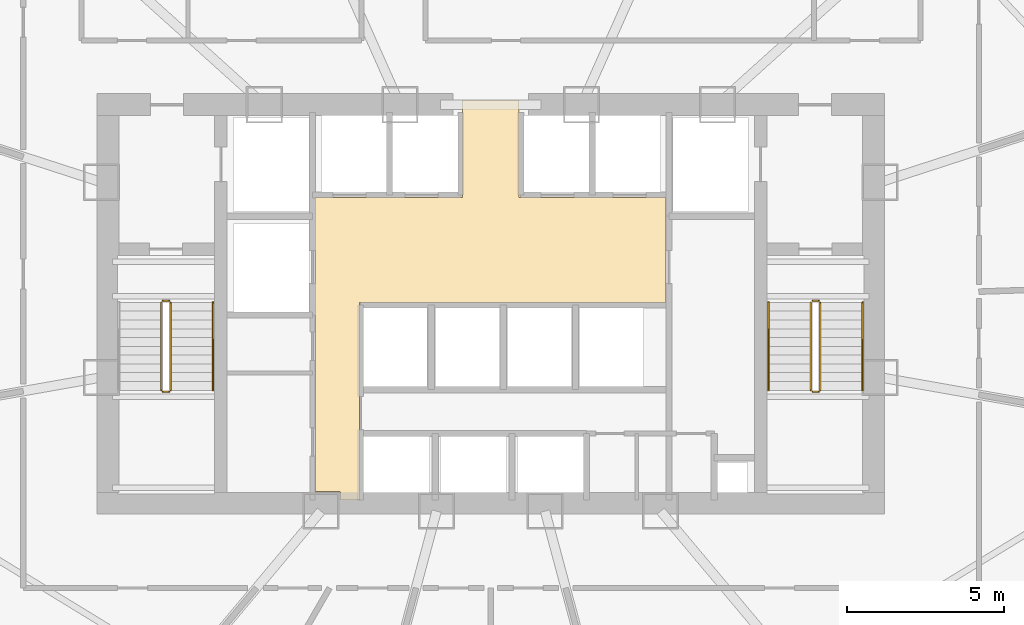
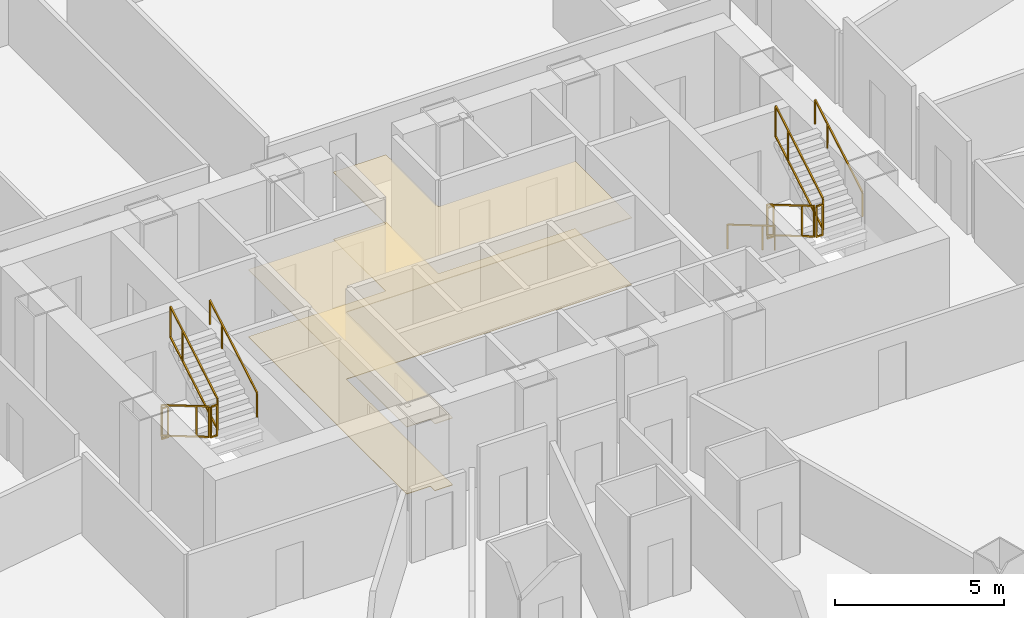
# One storey, part 38 of 40: 11 railings, 2 coverings.
"""IFC4 building model written with IfcOpenShell, lengths in metres."""

from ifc_helpers import new_model, si_unit, direction, frame, origin, origin_2d, place, context, subcontext, project, spatial, polyline, rectangle, outline, extrude, material, layer, layer_set, type_object, element, save


model = new_model("IFC4")

# Units and contexts
model_context = context("Model", 3, precision=1e-05, world=origin(), true_north=direction((0.0, 1.0)))
body_context = subcontext(model_context, "Body", "Model", "MODEL_VIEW")
ifc_project = project(units=[si_unit("LENGTHUNIT", "METRE"), si_unit("AREAUNIT", "SQUARE_METRE"), si_unit("VOLUMEUNIT", "CUBIC_METRE"), si_unit("PLANEANGLEUNIT", "RADIAN"), si_unit("MASSUNIT", "GRAM", prefix="KILO"), si_unit("THERMODYNAMICTEMPERATUREUNIT", "KELVIN"), si_unit("POWERUNIT", "WATT")], contexts=[model_context])

# Site, building, storey
site_placement = place(None, origin())
site = spatial("IfcSite", under=ifc_project, at=site_placement, CompositionType="ELEMENT")
building_placement = place(site_placement, origin())
building = spatial("IfcBuilding", under=site, at=building_placement, Name="Yunzhuo Pagoda Commons", CompositionType="ELEMENT")
storey_placement = place(building_placement, frame((0.0, 0.0, 66.699951171875)))
storey = spatial("IfcBuildingStorey", under=building, at=storey_placement, Name="L17", CompositionType="ELEMENT", Elevation=66.699951171875)

# Coverings
ifc_material_1 = material(Name="Mineral fibre acoustic ceiling board")
ifc_layer_1 = layer(ifc_material_1, 0.02490234375)
ifc_layer_set_1 = layer_set([ifc_layer_1], Name="Mineral fibre acoustic ceiling board")
covering_type_1 = type_object("IfcCoveringType", Name="COV-CL1 Ceiling 25", PredefinedType="CEILING", material=ifc_layer_set_1)
covering_1_placement = place(storey_placement, frame((0.0, 0.0, 2.420166015625)))
element("IfcCovering", 1, at=covering_1_placement, inside=storey, type_object=covering_type_1, Name="L17 lift lobby acoustic ceiling", PredefinedType="CEILING", context=body_context, shape_type="SweptSolid", body=[
    extrude(outline(polyline([(43.207763671875, 27.85009765625), (43.201904296875, 27.864013671875), (43.187744140625, 27.8701171875), (42.39990234375, 27.8701171875), (42.39990234375, 33.89990234375), (42.39990234375, 37.25), (47.10009765625, 37.25), (47.10009765625, 40.35009765625), (48.89990234375, 40.35009765625), (48.89990234375, 37.25), (53.580078125, 37.25), (53.580078125, 33.89990234375), (43.820068359375, 33.89990234375), (43.820068359375, 27.60009765625), (43.207763671875, 27.60009765625), (43.207763671875, 27.85009765625)])), origin(), (0.0, 0.0, 1.0), 0.02490234375),
])
ifc_material_2 = material(Name="Porcelain ceramic floor tile")
ifc_layer_2 = layer(ifc_material_2, 0.02001953125)
ifc_layer_set_2 = layer_set([ifc_layer_2], Name="Porcelain ceramic floor tile")
covering_type_2 = type_object("IfcCoveringType", Name="COV-FL1 Flooring 20", PredefinedType="FLOORING", material=ifc_layer_set_2)
covering_2_placement = place(storey_placement, origin())
element("IfcCovering", 2, at=covering_2_placement, inside=storey, type_object=covering_type_2, Name="L17 lift lobby flooring", PredefinedType="FLOORING", context=body_context, shape_type="SweptSolid", body=[
    extrude(outline(polyline([(43.207763671875, 27.85009765625), (43.201904296875, 27.864013671875), (43.187744140625, 27.8701171875), (42.39990234375, 27.8701171875), (42.39990234375, 33.89990234375), (42.39990234375, 37.25), (47.10009765625, 37.25), (47.10009765625, 40.35009765625), (48.89990234375, 40.35009765625), (48.89990234375, 37.25), (53.580078125, 37.25), (53.580078125, 33.89990234375), (43.820068359375, 33.89990234375), (43.820068359375, 27.60009765625), (43.207763671875, 27.60009765625), (43.207763671875, 27.85009765625)])), origin(), (0.0, 0.0, 1.0), 0.02001953125),
])

# Railings
ifc_material_3 = material(Name="Anodized aluminium 6063-T6", Category="aluminium")
railing_type_1 = type_object("IfcRailingType", Name="GR-ST1 Stair Well Guardrail 1150", PredefinedType="GUARDRAIL", material=ifc_material_3)
railing_1_placement = place(storey_placement, frame((37.5, 33.89990234375, 0.1650390625)))
element("IfcRailing", 3, at=railing_1_placement, inside=storey, type_object=railing_type_1, Name="L17 ST1 stair guard 1", PredefinedType="GUARDRAIL", context=body_context, shape_type="SweptSolid", body=[
    extrude(rectangle(XDim=0.048095703125, YDim=0.048095703125, at=origin_2d()), frame((0.0, 0.0, 1.1259765625), z_axis=(0.0, -0.861536114422, 0.507696290658), x_axis=(1.0, 0.0, 0.0)), (0.0, 0.0, 1.0), 3.249755859375),
    extrude(rectangle(XDim=0.048095703125, YDim=0.048095703125, at=origin_2d()), frame((0.0, 0.0, 0.02392578125), z_axis=(0.0, -0.861536114422, 0.507696290658), x_axis=(1.0, 0.0, 0.0)), (0.0, 0.0, 1.0), 3.249755859375),
    extrude(rectangle(XDim=0.0419921875, YDim=0.0419921875, at=origin_2d()), origin(), (0.0, 0.0, 1.0), 1.101806640625),
    extrude(rectangle(XDim=0.0419921875, YDim=0.0419921875, at=origin_2d()), frame((0.0, -2.067626953125, 1.218505859375)), (0.0, 0.0, 1.0), 1.101806640625),
    extrude(rectangle(XDim=0.0419921875, YDim=0.0419921875, at=origin_2d()), frame((0.0, -2.7998046875, 1.64990234375)), (0.0, 0.0, 1.0), 1.101806640625),
])
railing_2_placement = place(storey_placement, frame((37.550048828125, 31.050048828125, 1.81494140625)))
element("IfcRailing", 4, at=railing_2_placement, inside=storey, type_object=railing_type_1, Name="L17 ST1 stair guard 2", PredefinedType="GUARDRAIL", context=body_context, shape_type="SweptSolid", body=[
    extrude(rectangle(XDim=0.048095703125, YDim=0.048095703125, at=origin_2d()), frame((0.0, 0.0, 1.1259765625), z_axis=(1.0, 0.0, 0.0), x_axis=(0.0, 1.0, 0.0)), (0.0, 0.0, 1.0), 0.199951171875),
    extrude(rectangle(XDim=0.048095703125, YDim=0.048095703125, at=origin_2d()), frame((0.0, 0.0, 0.02392578125), z_axis=(1.0, 0.0, 0.0), x_axis=(0.0, 1.0, 0.0)), (0.0, 0.0, 1.0), 0.199951171875),
    extrude(rectangle(XDim=0.0419921875, YDim=0.0419921875, at=origin_2d()), origin(), (0.0, 0.0, 1.0), 1.101806640625),
    extrude(rectangle(XDim=0.0419921875, YDim=0.0419921875, at=origin_2d()), frame((0.199951171875, 0.0, 0.0)), (0.0, 0.0, 1.0), 1.101806640625),
])
railing_3_placement = place(storey_placement, frame((37.800048828125, 31.10009765625, 1.97998046875)))
element("IfcRailing", 5, at=railing_3_placement, inside=storey, type_object=railing_type_1, Name="L17 ST1 stair guard 3", PredefinedType="GUARDRAIL", context=body_context, shape_type="SweptSolid", body=[
    extrude(rectangle(XDim=0.048095703125, YDim=0.048095703125, at=origin_2d()), frame((0.0, 0.0, 1.1259765625), z_axis=(0.0, 0.861503254194, 0.507752048753), x_axis=(-1.0, 0.0, 0.0)), (0.0, 0.0, 1.0), 3.25),
    extrude(rectangle(XDim=0.048095703125, YDim=0.048095703125, at=origin_2d()), frame((0.0, 0.0, 0.02392578125), z_axis=(0.0, 0.861503254194, 0.507752048753), x_axis=(-1.0, 0.0, 0.0)), (0.0, 0.0, 1.0), 3.25),
    extrude(rectangle(XDim=0.0419921875, YDim=0.0419921875, at=origin_2d()), origin(), (0.0, 0.0, 1.0), 1.101806640625),
    extrude(rectangle(XDim=0.0419921875, YDim=0.0419921875, at=origin_2d()), frame((0.0, 2.067626953125, 1.218505859375)), (0.0, 0.0, 1.0), 1.101806640625),
    extrude(rectangle(XDim=0.0419921875, YDim=0.0419921875, at=origin_2d()), frame((0.0, 2.7998046875, 1.650146484375)), (0.0, 0.0, 1.0), 1.101806640625),
])
railing_4_placement = place(storey_placement, frame((37.550048828125, 33.949951171875, 0.0)))
element("IfcRailing", 6, at=railing_4_placement, inside=storey, type_object=railing_type_1, Name="L17 ST1 stair guard 4", PredefinedType="GUARDRAIL", context=body_context, shape_type="SweptSolid", body=[
    extrude(rectangle(XDim=0.048095703125, YDim=0.048095703125, at=origin_2d()), frame((0.0, 0.0, 1.1259765625), z_axis=(1.0, 0.0, 0.0), x_axis=(0.0, 1.0, 0.0)), (0.0, 0.0, 1.0), 0.199951171875),
    extrude(rectangle(XDim=0.048095703125, YDim=0.048095703125, at=origin_2d()), frame((0.0, 0.0, 0.02392578125), z_axis=(1.0, 0.0, 0.0), x_axis=(0.0, 1.0, 0.0)), (0.0, 0.0, 1.0), 0.199951171875),
    extrude(rectangle(XDim=0.0419921875, YDim=0.0419921875, at=origin_2d()), origin(), (0.0, 0.0, 1.0), 1.101806640625),
    extrude(rectangle(XDim=0.0419921875, YDim=0.0419921875, at=origin_2d()), frame((0.199951171875, 0.0, 0.0)), (0.0, 0.0, 1.0), 1.101806640625),
])
railing_type_2 = type_object("IfcRailingType", Name="GR-ST2 Stair Well Guardrail 1160", PredefinedType="GUARDRAIL", material=ifc_material_3)
railing_5_placement = place(storey_placement, frame((58.199951171875, 33.89990234375, 0.1650390625)))
element("IfcRailing", 7, at=railing_5_placement, inside=storey, type_object=railing_type_2, Name="L17 ST2 stair guard 1", PredefinedType="GUARDRAIL", context=body_context, shape_type="SweptSolid", body=[
    extrude(rectangle(XDim=0.048095703125, YDim=0.048095703125, at=origin_2d()), frame((0.0, 0.0, 1.1259765625), z_axis=(0.0, -0.861536114422, 0.507696290658), x_axis=(1.0, 0.0, 0.0)), (0.0, 0.0, 1.0), 3.249755859375),
    extrude(rectangle(XDim=0.048095703125, YDim=0.048095703125, at=origin_2d()), frame((0.0, 0.0, 0.02392578125), z_axis=(0.0, -0.861536114422, 0.507696290658), x_axis=(1.0, 0.0, 0.0)), (0.0, 0.0, 1.0), 3.249755859375),
    extrude(rectangle(XDim=0.0419921875, YDim=0.0419921875, at=origin_2d()), origin(), (0.0, 0.0, 1.0), 1.101806640625),
    extrude(rectangle(XDim=0.0419921875, YDim=0.0419921875, at=origin_2d()), frame((0.0, -2.067626953125, 1.218505859375)), (0.0, 0.0, 1.0), 1.101806640625),
    extrude(rectangle(XDim=0.0419921875, YDim=0.0419921875, at=origin_2d()), frame((0.0, -2.7998046875, 1.64990234375)), (0.0, 0.0, 1.0), 1.101806640625),
])
railing_6_placement = place(storey_placement, frame((58.25, 31.050048828125, 1.81494140625)))
element("IfcRailing", 8, at=railing_6_placement, inside=storey, type_object=railing_type_2, Name="L17 ST2 stair guard 2", PredefinedType="GUARDRAIL", context=body_context, shape_type="SweptSolid", body=[
    extrude(rectangle(XDim=0.048095703125, YDim=0.048095703125, at=origin_2d()), frame((0.0, 0.0, 1.1259765625), z_axis=(1.0, 0.0, 0.0), x_axis=(0.0, 1.0, 0.0)), (0.0, 0.0, 1.0), 0.199951171875),
    extrude(rectangle(XDim=0.048095703125, YDim=0.048095703125, at=origin_2d()), frame((0.0, 0.0, 0.02392578125), z_axis=(1.0, 0.0, 0.0), x_axis=(0.0, 1.0, 0.0)), (0.0, 0.0, 1.0), 0.199951171875),
    extrude(rectangle(XDim=0.0419921875, YDim=0.0419921875, at=origin_2d()), origin(), (0.0, 0.0, 1.0), 1.101806640625),
    extrude(rectangle(XDim=0.0419921875, YDim=0.0419921875, at=origin_2d()), frame((0.199951171875, 0.0, 0.0)), (0.0, 0.0, 1.0), 1.101806640625),
])
railing_7_placement = place(storey_placement, frame((58.5, 31.10009765625, 1.97998046875)))
element("IfcRailing", 9, at=railing_7_placement, inside=storey, type_object=railing_type_2, Name="L17 ST2 stair guard 3", PredefinedType="GUARDRAIL", context=body_context, shape_type="SweptSolid", body=[
    extrude(rectangle(XDim=0.048095703125, YDim=0.048095703125, at=origin_2d()), frame((0.0, 0.0, 1.1259765625), z_axis=(0.0, 0.861503254194, 0.507752048753), x_axis=(-1.0, 0.0, 0.0)), (0.0, 0.0, 1.0), 3.25),
    extrude(rectangle(XDim=0.048095703125, YDim=0.048095703125, at=origin_2d()), frame((0.0, 0.0, 0.02392578125), z_axis=(0.0, 0.861503254194, 0.507752048753), x_axis=(-1.0, 0.0, 0.0)), (0.0, 0.0, 1.0), 3.25),
    extrude(rectangle(XDim=0.0419921875, YDim=0.0419921875, at=origin_2d()), origin(), (0.0, 0.0, 1.0), 1.101806640625),
    extrude(rectangle(XDim=0.0419921875, YDim=0.0419921875, at=origin_2d()), frame((0.0, 2.067626953125, 1.218505859375)), (0.0, 0.0, 1.0), 1.101806640625),
    extrude(rectangle(XDim=0.0419921875, YDim=0.0419921875, at=origin_2d()), frame((0.0, 2.7998046875, 1.650146484375)), (0.0, 0.0, 1.0), 1.101806640625),
])
railing_8_placement = place(storey_placement, frame((58.25, 33.949951171875, 0.0)))
element("IfcRailing", 10, at=railing_8_placement, inside=storey, type_object=railing_type_2, Name="L17 ST2 stair guard 4", PredefinedType="GUARDRAIL", context=body_context, shape_type="SweptSolid", body=[
    extrude(rectangle(XDim=0.048095703125, YDim=0.048095703125, at=origin_2d()), frame((0.0, 0.0, 1.1259765625), z_axis=(1.0, 0.0, 0.0), x_axis=(0.0, 1.0, 0.0)), (0.0, 0.0, 1.0), 0.199951171875),
    extrude(rectangle(XDim=0.048095703125, YDim=0.048095703125, at=origin_2d()), frame((0.0, 0.0, 0.02392578125), z_axis=(1.0, 0.0, 0.0), x_axis=(0.0, 1.0, 0.0)), (0.0, 0.0, 1.0), 0.199951171875),
    extrude(rectangle(XDim=0.0419921875, YDim=0.0419921875, at=origin_2d()), origin(), (0.0, 0.0, 1.0), 1.101806640625),
    extrude(rectangle(XDim=0.0419921875, YDim=0.0419921875, at=origin_2d()), frame((0.199951171875, 0.0, 0.0)), (0.0, 0.0, 1.0), 1.101806640625),
])
railing_type_3 = type_object("IfcRailingType", Name="HR-ST1 Stair Handrail 900", PredefinedType="HANDRAIL", material=ifc_material_3)
railing_9_placement = place(storey_placement, frame((39.14990234375, 31.10009765625, 1.97998046875)))
element("IfcRailing", 11, at=railing_9_placement, inside=storey, type_object=railing_type_3, Name="L17 ST1 stair handrail 2", PredefinedType="HANDRAIL", context=body_context, shape_type="SweptSolid", body=[
    extrude(rectangle(XDim=0.048095703125, YDim=0.048095703125, at=origin_2d()), frame((0.0, 0.0, 0.8759765625), z_axis=(0.0, 0.861503254194, 0.507752048753), x_axis=(-1.0, 0.0, 0.0)), (0.0, 0.0, 1.0), 3.25),
    extrude(rectangle(XDim=0.0419921875, YDim=0.0419921875, at=origin_2d()), origin(), (0.0, 0.0, 1.0), 0.851806640625),
    extrude(rectangle(XDim=0.0419921875, YDim=0.0419921875, at=origin_2d()), frame((0.0, 2.067626953125, 1.218505859375)), (0.0, 0.0, 1.0), 0.851806640625),
    extrude(rectangle(XDim=0.0419921875, YDim=0.0419921875, at=origin_2d()), frame((0.0, 2.7998046875, 1.650146484375)), (0.0, 0.0, 1.0), 0.851806640625),
])
railing_type_4 = type_object("IfcRailingType", Name="HR-ST2 Stair Handrail 900", PredefinedType="HANDRAIL", material=ifc_material_3)
railing_10_placement = place(storey_placement, frame((56.85009765625, 33.89990234375, 0.1650390625)))
element("IfcRailing", 12, at=railing_10_placement, inside=storey, type_object=railing_type_4, Name="L17 ST2 stair handrail 1", PredefinedType="HANDRAIL", context=body_context, shape_type="SweptSolid", body=[
    extrude(rectangle(XDim=0.048095703125, YDim=0.048095703125, at=origin_2d()), frame((0.0, 0.0, 0.8759765625), z_axis=(0.0, -0.861536114422, 0.507696290658), x_axis=(1.0, 0.0, 0.0)), (0.0, 0.0, 1.0), 3.249755859375),
    extrude(rectangle(XDim=0.0419921875, YDim=0.0419921875, at=origin_2d()), origin(), (0.0, 0.0, 1.0), 0.851806640625),
    extrude(rectangle(XDim=0.0419921875, YDim=0.0419921875, at=origin_2d()), frame((0.0, -2.067626953125, 1.218505859375)), (0.0, 0.0, 1.0), 0.851806640625),
    extrude(rectangle(XDim=0.0419921875, YDim=0.0419921875, at=origin_2d()), frame((0.0, -2.7998046875, 1.64990234375)), (0.0, 0.0, 1.0), 0.851806640625),
])
railing_11_placement = place(storey_placement, frame((59.85009765625, 31.10009765625, 1.97998046875)))
element("IfcRailing", 13, at=railing_11_placement, inside=storey, type_object=railing_type_4, Name="L17 ST2 stair handrail 2", PredefinedType="HANDRAIL", context=body_context, shape_type="SweptSolid", body=[
    extrude(rectangle(XDim=0.048095703125, YDim=0.048095703125, at=origin_2d()), frame((0.0, 0.0, 0.8759765625), z_axis=(0.0, 0.861503254194, 0.507752048753), x_axis=(-1.0, 0.0, 0.0)), (0.0, 0.0, 1.0), 3.25),
    extrude(rectangle(XDim=0.0419921875, YDim=0.0419921875, at=origin_2d()), origin(), (0.0, 0.0, 1.0), 0.851806640625),
    extrude(rectangle(XDim=0.0419921875, YDim=0.0419921875, at=origin_2d()), frame((0.0, 2.067626953125, 1.218505859375)), (0.0, 0.0, 1.0), 0.851806640625),
    extrude(rectangle(XDim=0.0419921875, YDim=0.0419921875, at=origin_2d()), frame((0.0, 2.7998046875, 1.650146484375)), (0.0, 0.0, 1.0), 0.851806640625),
])

save(model, "model.ifc")
